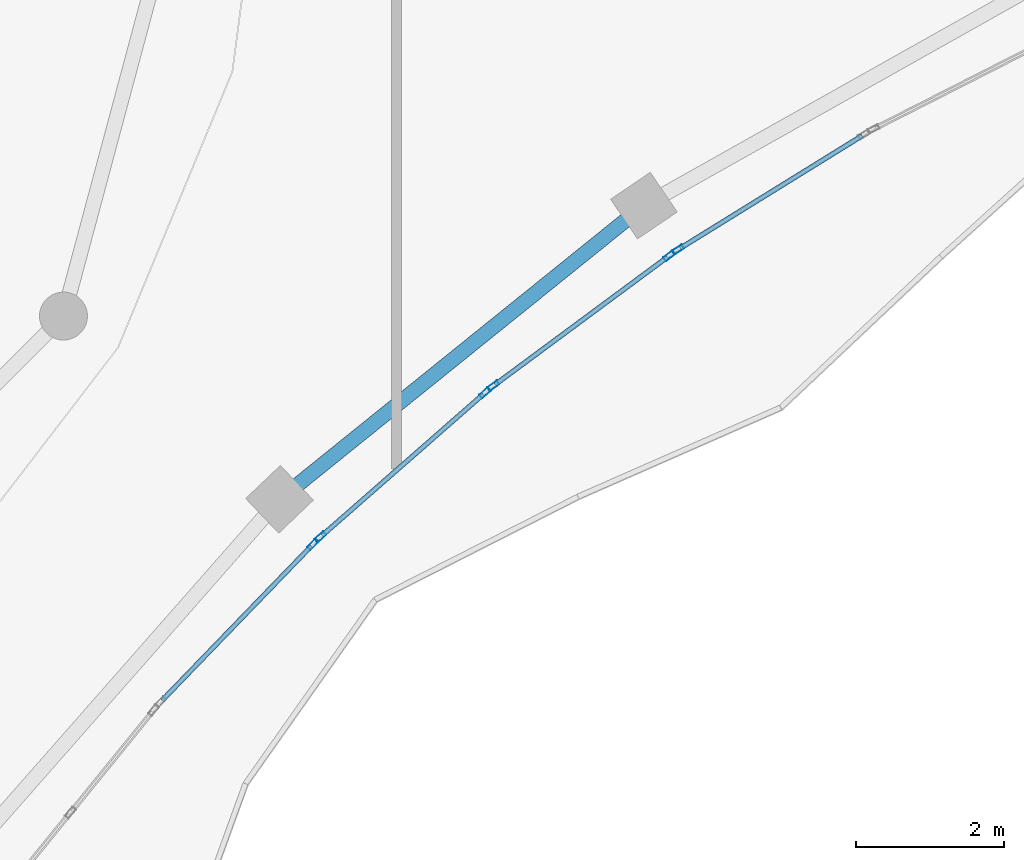
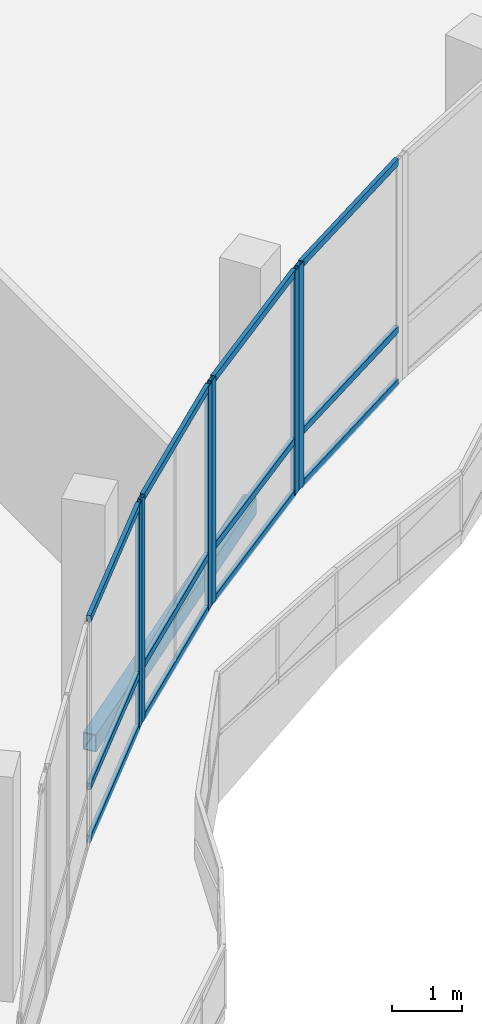
# One storey, part 64 of 184: 18 members, 1 beam, 4 elements without a shape of their own.
"""IFC4 building model written with IfcOpenShell, lengths in metres."""

from ifc_helpers import new_model, si_unit, direction, frame, origin, origin_2d, place, context, subcontext, project, spatial, hollow_rectangle, extrude, material, material_profile, profile_set, type_object, element, aggregate, save


model = new_model("IFC4")

# Units and contexts
model_context = context("Model", 3, precision=1e-05, world=origin(), true_north=direction((0.0, 1.0)))
body_context = subcontext(model_context, "Body", "Model", "MODEL_VIEW")
ifc_project = project(units=[si_unit("LENGTHUNIT", "METRE"), si_unit("AREAUNIT", "SQUARE_METRE"), si_unit("VOLUMEUNIT", "CUBIC_METRE"), si_unit("PLANEANGLEUNIT", "RADIAN"), si_unit("MASSUNIT", "GRAM", prefix="KILO")], contexts=[model_context])

# Site, building, storey
site_placement = place(None, origin())
site = spatial("IfcSite", under=ifc_project, at=site_placement, CompositionType="ELEMENT")
building_placement = place(site_placement, origin())
building = spatial("IfcBuilding", under=site, at=building_placement, Name="Selatvlak General Hospital", CompositionType="ELEMENT")
storey_placement = place(building_placement, frame((0.0, 0.0, 15.0)))
storey = spatial("IfcBuildingStorey", under=building, at=storey_placement, Name="L03", CompositionType="ELEMENT", Elevation=15.0)

# Beam
ifc_material_1 = material(Name="Steel S355", Category="steel")
ifc_material_profile_1 = material_profile(ifc_material_1, hollow_rectangle(XDim=0.199951171875, YDim=0.300048828125, WallThickness=0.011962890625, at=origin_2d()), Name="RHS 300x200x12")
ifc_profile_set_1 = profile_set([ifc_material_profile_1], Name="Steel S355")
beam_type = type_object("IfcBeamType", Name="BM-SP3", PredefinedType="SPANDREL", material=ifc_profile_set_1)
beam_placement = place(storey_placement, frame((113.614990234375, 44.19189453125, -0.489990234375), z_axis=(0.778568955278, 0.627559066444, 0.0), x_axis=(-0.627559066444, 0.778568955278, 0.0)))
element("IfcBeam", 1, at=beam_placement, inside=storey, type_object=beam_type, Name="Beam BMR-L03-1500", PredefinedType="SPANDREL", context=body_context, shape_type="SweptSolid", body=[
    extrude(hollow_rectangle(XDim=0.199951171875, YDim=0.300048828125, WallThickness=0.011962890625, at=origin_2d()), origin(), (0.0, 0.0, 1.0), 6.34228515625),
])

# Curtain wall, member
ifc_material_2 = material(Name="Solar-control Low-E double glazing", Category="glass")
curtain_wall_type_1 = type_object("IfcCurtainWallType", Name="CW-CW-01", PredefinedType="USERDEFINED", material=ifc_material_2)
curtain_wall_1_placement = place(storey_placement, origin())
curtain_wall_1 = element("IfcCurtainWall", 2, at=curtain_wall_1_placement, inside=storey, type_object=curtain_wall_type_1, Name="Glazed facade curtain wall CW-L03-0411", ObjectType="UNITISED CURTAIN WALL", PredefinedType="USERDEFINED")
ifc_material_3 = material(Name="Dark anodised aluminium mullion", Category="aluminium")
ifc_material_profile_2 = material_profile(ifc_material_3, hollow_rectangle(XDim=0.06494140625, YDim=0.159912109375, WallThickness=0.00390625, at=origin_2d()), Name="AL-MUL 65x160x4")
ifc_profile_set_2 = profile_set([ifc_material_profile_2], Name="Dark anodised aluminium mullion")
member_type_1 = type_object("IfcMemberType", Name="CWM-01", PredefinedType="MULLION", material=ifc_profile_set_2)
member_1_placement = place(storey_placement, frame((119.0166015625, 47.5771484375, 0.0), z_axis=(0.0, 0.0, 1.0), x_axis=(0.526047826435, -0.850454986641, 0.0)))
member_1 = element("IfcMember", 3, at=member_1_placement, type_object=member_type_1, Name="CW-01 mullion 2", PredefinedType="MULLION", context=body_context, shape_type="SweptSolid", body=[
    extrude(hollow_rectangle(XDim=0.06494140625, YDim=0.159912109375, WallThickness=0.00390625, at=origin_2d()), origin(), (0.0, 0.0, 1.0), 3.89501953125),
])

# Curtain wall, members
curtain_wall_type_2 = type_object("IfcCurtainWallType", Name="CW-CW-02", PredefinedType="USERDEFINED", material=ifc_material_2)
curtain_wall_2_placement = place(storey_placement, origin())
curtain_wall_2 = element("IfcCurtainWall", 4, at=curtain_wall_2_placement, inside=storey, type_object=curtain_wall_type_2, Name="Glazed facade curtain wall CW-L03-0412", ObjectType="UNITISED CURTAIN WALL", PredefinedType="USERDEFINED")
member_2_placement = place(storey_placement, frame((118.89794921875, 47.49365234375, 0.0), z_axis=(0.0, 0.0, 1.0), x_axis=(0.594604312607, -0.804018477045, 0.0)))
member_2 = element("IfcMember", 5, at=member_2_placement, type_object=member_type_1, Name="CW-02 mullion 1", PredefinedType="MULLION", context=body_context, shape_type="SweptSolid", body=[
    extrude(hollow_rectangle(XDim=0.06494140625, YDim=0.159912109375, WallThickness=0.00390625, at=origin_2d()), origin(), (0.0, 0.0, 1.0), 3.89501953125),
])
member_3_placement = place(storey_placement, frame((116.51220703125, 45.729248046875, 0.0), z_axis=(0.0, 0.0, 1.0), x_axis=(0.594604312607, -0.804018477045, 0.0)))
member_3 = element("IfcMember", 6, at=member_3_placement, type_object=member_type_1, Name="CW-02 mullion 2", PredefinedType="MULLION", context=body_context, shape_type="SweptSolid", body=[
    extrude(hollow_rectangle(XDim=0.06494140625, YDim=0.159912109375, WallThickness=0.00390625, at=origin_2d()), origin(), (0.0, 0.0, 1.0), 3.89501953125),
])

curtain_wall_3_placement = place(storey_placement, origin())
curtain_wall_3 = element("IfcCurtainWall", 7, at=curtain_wall_3_placement, inside=storey, type_object=curtain_wall_type_1, Name="Glazed facade curtain wall CW-L03-0413", ObjectType="UNITISED CURTAIN WALL", PredefinedType="USERDEFINED")
member_4_placement = place(storey_placement, frame((116.400634765625, 45.636474609375, 0.0), z_axis=(0.0, 0.0, 1.0), x_axis=(0.658878257256, -0.752249587647, 0.0)))
member_4 = element("IfcMember", 8, at=member_4_placement, type_object=member_type_1, Name="CW-01 mullion 1", PredefinedType="MULLION", context=body_context, shape_type="SweptSolid", body=[
    extrude(hollow_rectangle(XDim=0.06494140625, YDim=0.159912109375, WallThickness=0.00390625, at=origin_2d()), origin(), (0.0, 0.0, 1.0), 3.89501953125),
])
member_5_placement = place(storey_placement, frame((114.16943359375, 43.682373046875, 0.0), z_axis=(0.0, 0.0, 1.0), x_axis=(0.658878257256, -0.752249587647, 0.0)))
member_5 = element("IfcMember", 9, at=member_5_placement, type_object=member_type_1, Name="CW-01 mullion 2", PredefinedType="MULLION", context=body_context, shape_type="SweptSolid", body=[
    extrude(hollow_rectangle(XDim=0.06494140625, YDim=0.159912109375, WallThickness=0.00390625, at=origin_2d()), origin(), (0.0, 0.0, 1.0), 3.89501953125),
])

# Curtain wall, member
curtain_wall_4_placement = place(storey_placement, origin())
curtain_wall_4 = element("IfcCurtainWall", 10, at=curtain_wall_4_placement, inside=storey, type_object=curtain_wall_type_2, Name="Glazed facade curtain wall CW-L03-0414", ObjectType="UNITISED CURTAIN WALL", PredefinedType="USERDEFINED")
member_6_placement = place(storey_placement, frame((114.06640625, 43.58056640625, 0.0), z_axis=(0.0, 0.0, 1.0), x_axis=(0.719196973261, -0.694806241805, 0.0)))
member_6 = element("IfcMember", 11, at=member_6_placement, type_object=member_type_1, Name="CW-02 mullion 1", PredefinedType="MULLION", context=body_context, shape_type="SweptSolid", body=[
    extrude(hollow_rectangle(XDim=0.06494140625, YDim=0.159912109375, WallThickness=0.00390625, at=origin_2d()), origin(), (0.0, 0.0, 1.0), 3.89501953125),
])

# Member
ifc_material_profile_3 = material_profile(ifc_material_3, hollow_rectangle(XDim=0.06494140625, YDim=0.1201171875, WallThickness=0.00390625, at=origin_2d()), Name="AL-TRN 65x120x4")
ifc_profile_set_3 = profile_set([ifc_material_profile_3], Name="Dark anodised aluminium mullion")
member_type_2 = type_object("IfcMemberType", Name="CWT-01", PredefinedType="USERDEFINED", material=ifc_profile_set_3)
member_7_placement = place(storey_placement, frame((121.5107421875, 49.119873046875, 0.032470703125), z_axis=(-0.850462425048, -0.526035800666, 0.0), x_axis=(0.526035800666, -0.850462425048, 0.0)))
member_7 = element("IfcMember", 12, at=member_7_placement, type_object=member_type_2, Name="CW-01 transom 1.1", ObjectType="TRANSOM", PredefinedType="USERDEFINED", context=body_context, shape_type="SweptSolid", body=[
    extrude(hollow_rectangle(XDim=0.06494140625, YDim=0.1201171875, WallThickness=0.00390625, at=origin_2d()), origin(), (0.0, 0.0, 1.0), 2.900146484375),
])

member_8_placement = place(storey_placement, frame((121.5107421875, 49.119873046875, 0.949951171875), z_axis=(-0.850462425048, -0.526035800666, 0.0), x_axis=(0.526035800666, -0.850462425048, 0.0)))
member_8 = element("IfcMember", 13, at=member_8_placement, type_object=member_type_2, Name="CW-01 transom 1.2", ObjectType="TRANSOM", PredefinedType="USERDEFINED", context=body_context, shape_type="SweptSolid", body=[
    extrude(hollow_rectangle(XDim=0.06494140625, YDim=0.1201171875, WallThickness=0.00390625, at=origin_2d()), origin(), (0.0, 0.0, 1.0), 2.900146484375),
])

member_9_placement = place(storey_placement, frame((121.5107421875, 49.119873046875, 3.862548828125), z_axis=(-0.850462425048, -0.526035800666, 0.0), x_axis=(0.526035800666, -0.850462425048, 0.0)))
member_9 = element("IfcMember", 14, at=member_9_placement, type_object=member_type_2, Name="CW-01 transom 1.3", ObjectType="TRANSOM", PredefinedType="USERDEFINED", context=body_context, shape_type="SweptSolid", body=[
    extrude(hollow_rectangle(XDim=0.06494140625, YDim=0.1201171875, WallThickness=0.00390625, at=origin_2d()), origin(), (0.0, 0.0, 1.0), 2.900146484375),
])

aggregate(curtain_wall_1, [member_1, member_7, member_8, member_9])

member_10_placement = place(storey_placement, frame((118.871826171875, 47.474365234375, 0.032470703125), z_axis=(-0.80399954052, -0.594629917549, 0.0), x_axis=(0.594629917549, -0.80399954052, 0.0)))
member_10 = element("IfcMember", 15, at=member_10_placement, type_object=member_type_2, Name="CW-02 transom 1.1", ObjectType="TRANSOM", PredefinedType="USERDEFINED", context=body_context, shape_type="SweptSolid", body=[
    extrude(hollow_rectangle(XDim=0.06494140625, YDim=0.1201171875, WallThickness=0.00390625, at=origin_2d()), origin(), (0.0, 0.0, 1.0), 2.90234375),
])

member_11_placement = place(storey_placement, frame((118.871826171875, 47.474365234375, 0.949951171875), z_axis=(-0.80399954052, -0.594629917549, 0.0), x_axis=(0.594629917549, -0.80399954052, 0.0)))
member_11 = element("IfcMember", 16, at=member_11_placement, type_object=member_type_2, Name="CW-02 transom 1.2", ObjectType="TRANSOM", PredefinedType="USERDEFINED", context=body_context, shape_type="SweptSolid", body=[
    extrude(hollow_rectangle(XDim=0.06494140625, YDim=0.1201171875, WallThickness=0.00390625, at=origin_2d()), origin(), (0.0, 0.0, 1.0), 2.90234375),
])

member_12_placement = place(storey_placement, frame((118.871826171875, 47.474365234375, 3.862548828125), z_axis=(-0.80399954052, -0.594629917549, 0.0), x_axis=(0.594629917549, -0.80399954052, 0.0)))
member_12 = element("IfcMember", 17, at=member_12_placement, type_object=member_type_2, Name="CW-02 transom 1.3", ObjectType="TRANSOM", PredefinedType="USERDEFINED", context=body_context, shape_type="SweptSolid", body=[
    extrude(hollow_rectangle(XDim=0.06494140625, YDim=0.1201171875, WallThickness=0.00390625, at=origin_2d()), origin(), (0.0, 0.0, 1.0), 2.90234375),
])

aggregate(curtain_wall_2, [member_2, member_3, member_10, member_11, member_12])

member_13_placement = place(storey_placement, frame((116.376220703125, 45.615234375, 0.032470703125), z_axis=(-0.752269034196, -0.658856054225, 0.0), x_axis=(0.658856054225, -0.752269034196, 0.0)))
member_13 = element("IfcMember", 18, at=member_13_placement, type_object=member_type_2, Name="CW-01 transom 1.1", ObjectType="TRANSOM", PredefinedType="USERDEFINED", context=body_context, shape_type="SweptSolid", body=[
    extrude(hollow_rectangle(XDim=0.06494140625, YDim=0.1201171875, WallThickness=0.00390625, at=origin_2d()), origin(), (0.0, 0.0, 1.0), 2.901123046875),
])

member_14_placement = place(storey_placement, frame((116.376220703125, 45.615234375, 0.949951171875), z_axis=(-0.752269034196, -0.658856054225, 0.0), x_axis=(0.658856054225, -0.752269034196, 0.0)))
member_14 = element("IfcMember", 19, at=member_14_placement, type_object=member_type_2, Name="CW-01 transom 1.2", ObjectType="TRANSOM", PredefinedType="USERDEFINED", context=body_context, shape_type="SweptSolid", body=[
    extrude(hollow_rectangle(XDim=0.06494140625, YDim=0.1201171875, WallThickness=0.00390625, at=origin_2d()), origin(), (0.0, 0.0, 1.0), 2.901123046875),
])

member_15_placement = place(storey_placement, frame((116.376220703125, 45.615234375, 3.862548828125), z_axis=(-0.752269034196, -0.658856054225, 0.0), x_axis=(0.658856054225, -0.752269034196, 0.0)))
member_15 = element("IfcMember", 20, at=member_15_placement, type_object=member_type_2, Name="CW-01 transom 1.3", ObjectType="TRANSOM", PredefinedType="USERDEFINED", context=body_context, shape_type="SweptSolid", body=[
    extrude(hollow_rectangle(XDim=0.06494140625, YDim=0.1201171875, WallThickness=0.00390625, at=origin_2d()), origin(), (0.0, 0.0, 1.0), 2.901123046875),
])

aggregate(curtain_wall_3, [member_4, member_5, member_13, member_14, member_15])

member_16_placement = place(storey_placement, frame((114.0439453125, 43.557373046875, 0.032470703125), z_axis=(-0.694812020929, -0.719191390085, 0.0), x_axis=(0.719191390085, -0.694812020929, 0.0)))
member_16 = element("IfcMember", 21, at=member_16_placement, type_object=member_type_2, Name="CW-02 transom 1.1", ObjectType="TRANSOM", PredefinedType="USERDEFINED", context=body_context, shape_type="SweptSolid", body=[
    extrude(hollow_rectangle(XDim=0.06494140625, YDim=0.1201171875, WallThickness=0.00390625, at=origin_2d()), origin(), (0.0, 0.0, 1.0), 2.904052734375),
])

member_17_placement = place(storey_placement, frame((114.0439453125, 43.557373046875, 0.949951171875), z_axis=(-0.694812020929, -0.719191390085, 0.0), x_axis=(0.719191390085, -0.694812020929, 0.0)))
member_17 = element("IfcMember", 22, at=member_17_placement, type_object=member_type_2, Name="CW-02 transom 1.2", ObjectType="TRANSOM", PredefinedType="USERDEFINED", context=body_context, shape_type="SweptSolid", body=[
    extrude(hollow_rectangle(XDim=0.06494140625, YDim=0.1201171875, WallThickness=0.00390625, at=origin_2d()), origin(), (0.0, 0.0, 1.0), 2.904052734375),
])

member_18_placement = place(storey_placement, frame((114.0439453125, 43.557373046875, 3.862548828125), z_axis=(-0.694812020929, -0.719191390085, 0.0), x_axis=(0.719191390085, -0.694812020929, 0.0)))
member_18 = element("IfcMember", 23, at=member_18_placement, type_object=member_type_2, Name="CW-02 transom 1.3", ObjectType="TRANSOM", PredefinedType="USERDEFINED", context=body_context, shape_type="SweptSolid", body=[
    extrude(hollow_rectangle(XDim=0.06494140625, YDim=0.1201171875, WallThickness=0.00390625, at=origin_2d()), origin(), (0.0, 0.0, 1.0), 2.904052734375),
])

aggregate(curtain_wall_4, [member_6, member_16, member_17, member_18])

save(model, "model.ifc")
